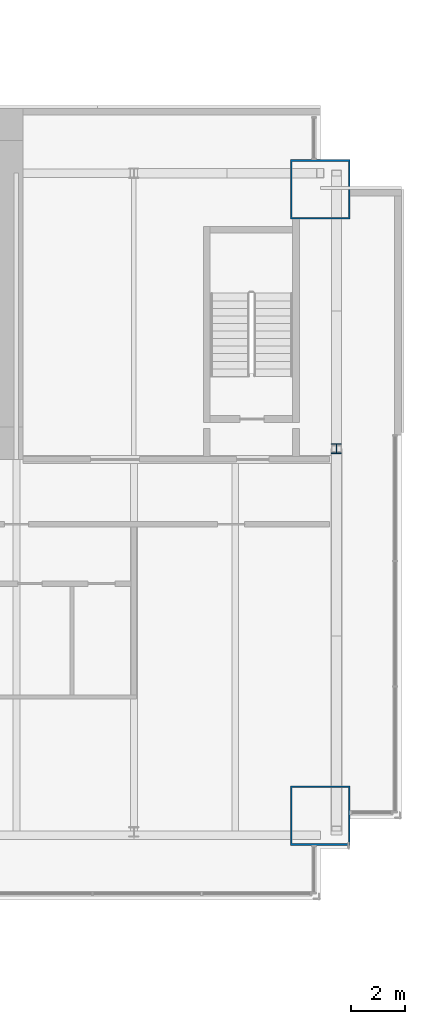
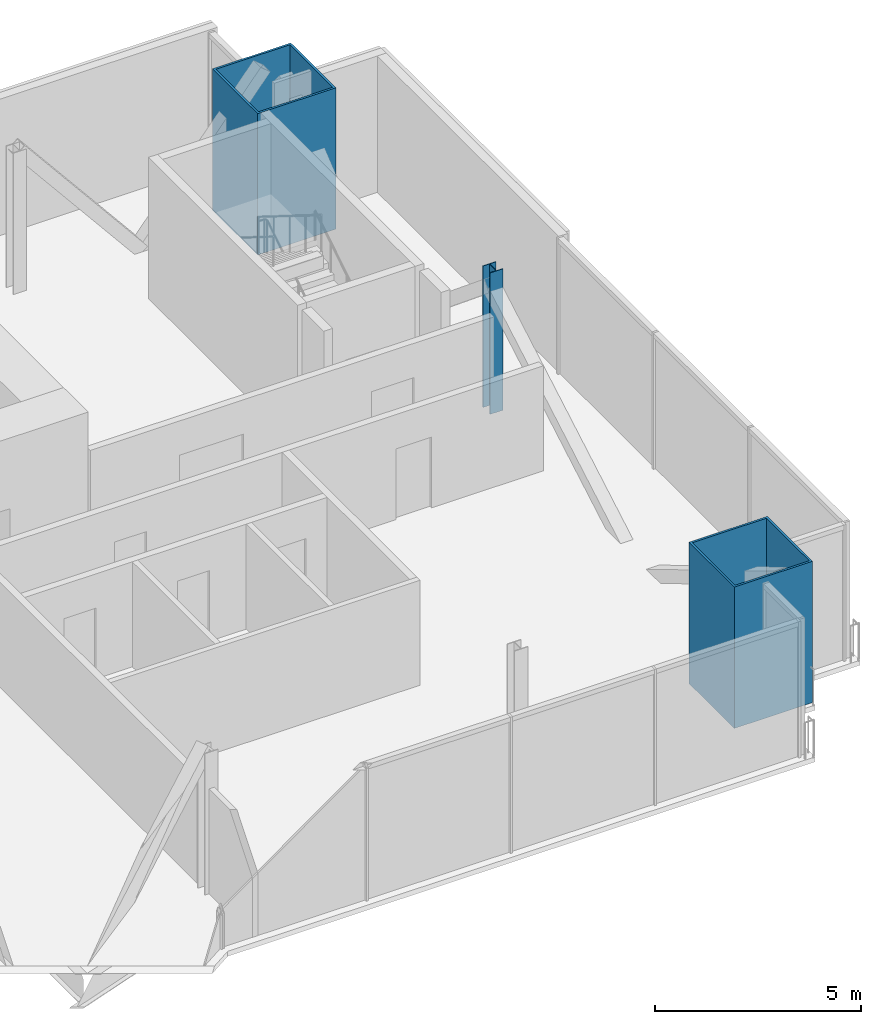
# One storey, part 4 of 19: 3 columns.
"""IFC4 building model written with IfcOpenShell, lengths in metres."""

import ifcopenshell
import ifcopenshell.guid

model = None  # the IFC model being written
_history = None  # IfcOwnerHistory: only IFC2X3 demands one
_inside = {}  # id of a spatial element -> (the spatial element, [elements in it])
_under = {}  # id of a project, library or spatial element -> (it, [spatial elements below it])
_declared = {}  # id of a project -> (the project, [libraries it declares])
_typed = {}  # id of a type object -> (the type object, [elements of that type])
_made_of = {}  # id of a material, layer set ... -> (it, [elements and type objects made of it])


def new_model(schema):
    """Start an empty IFC model of exactly this schema.

    Asked for "IFC4X3", IfcOpenShell would pick the latest addendum, in which some entities
    have other attributes; the version numbers below select the first issue.
    IFC2X3 requires an IfcOwnerHistory on every rooted entity: one is made here for all.
    """
    global model, _history
    if schema == "IFC4X3":
        model = ifcopenshell.file(schema_version=(4, 3, 0, 0))
    else:
        model = ifcopenshell.file(schema=schema)
    _inside.clear()
    _under.clear()
    _declared.clear()
    _typed.clear()
    _made_of.clear()
    _history = None
    if model.schema == "IFC2X3":
        org = make("IfcOrganization", Name="unknown")
        user = make(
            "IfcPersonAndOrganization",
            ThePerson=make("IfcPerson", FamilyName="unknown"),
            TheOrganization=org,
        )
        app = make(
            "IfcApplication",
            ApplicationDeveloper=org,
            Version="unknown",
            ApplicationFullName="unknown",
            ApplicationIdentifier="unknown",
        )
        _history = make(
            "IfcOwnerHistory",
            OwningUser=user,
            OwningApplication=app,
            ChangeAction="ADDED",
            CreationDate=0,
        )
    return model


def make(cls, **values):
    """One entity of the class cls with the attributes given. An attribute that is None is left unset."""
    return model.create_entity(
        cls, **{name: value for name, value in values.items() if value is not None}
    )


def rooted(cls, **values):
    """An entity with a GlobalId (a new one), such as an element, a storey or a relation."""
    return make(cls, GlobalId=ifcopenshell.guid.new(), OwnerHistory=_history, **values)


def si_unit(unit_type, name, prefix=None):
    """IfcSIUnit, for example si_unit("LENGTHUNIT", "METRE", prefix="MILLI")."""
    return make("IfcSIUnit", UnitType=unit_type, Prefix=prefix, Name=name)


def assignment(units):
    """IfcUnitAssignment: the units of a project."""
    return None if units is None else make("IfcUnitAssignment", Units=units)


def point(xyz):
    """IfcCartesianPoint."""
    return None if xyz is None else make("IfcCartesianPoint", Coordinates=xyz)


def direction(xyz):
    """IfcDirection."""
    return None if xyz is None else make("IfcDirection", DirectionRatios=xyz)


def frame(location, z_axis=None, x_axis=None):
    """IfcAxis2Placement3D, a coordinate frame: its origin and axes. An axis left out is left unset."""
    return make(
        "IfcAxis2Placement3D",
        Location=point(location),
        Axis=direction(z_axis),
        RefDirection=direction(x_axis),
    )


def frame_2d(location, x_axis=None):
    """IfcAxis2Placement2D, a coordinate frame in the plane: its origin and x axis."""
    return make(
        "IfcAxis2Placement2D", Location=point(location), RefDirection=direction(x_axis)
    )


def origin():
    """The frame at (0, 0, 0) with its axes left unset."""
    return frame((0.0, 0.0, 0.0))


def origin_2d():
    """The frame at (0, 0) in the plane with its x axis left unset."""
    return frame_2d((0.0, 0.0))


def place(relative_to, where):
    """IfcLocalPlacement: puts the frame where relative to a parent placement (None: the world)."""
    return make(
        "IfcLocalPlacement", PlacementRelTo=relative_to, RelativePlacement=where
    )


def context(
    kind, dimensions, precision=None, world=None, true_north=None, identifier=None
):
    """IfcGeometricRepresentationContext, for example the 3D "Model" context."""
    return make(
        "IfcGeometricRepresentationContext",
        ContextIdentifier=identifier,
        ContextType=kind,
        CoordinateSpaceDimension=dimensions,
        Precision=precision,
        WorldCoordinateSystem=world,
        TrueNorth=true_north,
    )


def subcontext(parent, identifier, kind, view, scale=None):
    """IfcGeometricRepresentationSubContext, for example "Body" below "Model"."""
    return make(
        "IfcGeometricRepresentationSubContext",
        ContextIdentifier=identifier,
        ContextType=kind,
        ParentContext=parent,
        TargetScale=scale,
        TargetView=view,
    )


def project(units=None, contexts=None):
    """IfcProject with its units and contexts."""
    return rooted(
        "IfcProject",
        Name="project",
        RepresentationContexts=contexts,
        UnitsInContext=assignment(units),
    )


def spatial(cls, under=None, at=None, **own):
    """A site, building, storey or space (cls), placed at a placement, below another one or the project."""
    s = rooted(cls, ObjectPlacement=at, **own)
    if under is not None:
        _under.setdefault(under.id(), (under, []))[1].append(s)
    return s


def profile(cls, at=None, kind="AREA", **sizes):
    """A parametric profile (cls). Its sizes go by their IFC names, for example OverallWidth=200.0."""
    return make(cls, ProfileType=kind, Position=at, **sizes)


def hollow_rectangle(**sizes):
    """IfcRectangleHollowProfileDef."""
    return profile("IfcRectangleHollowProfileDef", **sizes)


def i_section(**sizes):
    """IfcIShapeProfileDef."""
    return profile("IfcIShapeProfileDef", **sizes)


def extrude(swept, where, along, depth):
    """IfcExtrudedAreaSolid: the profile swept, set in the frame where, extruded along a direction by depth."""
    return make(
        "IfcExtrudedAreaSolid",
        SweptArea=swept,
        Position=where,
        ExtrudedDirection=direction(along),
        Depth=depth,
    )


def shape(context_of_items, identifier, shape_type, items):
    """IfcShapeRepresentation: the items that make up one representation, for example the "Body"."""
    return make(
        "IfcShapeRepresentation",
        ContextOfItems=context_of_items,
        RepresentationIdentifier=identifier,
        RepresentationType=shape_type,
        Items=items,
    )


def material(Name=None, Category=None):
    """IfcMaterial."""
    return make("IfcMaterial", Name=Name, Category=Category)


def material_profile(
    of_material, cross_section, Name=None, Category=None, Priority=None
):
    """IfcMaterialProfile: a cross section and its material."""
    return make(
        "IfcMaterialProfile",
        Name=Name,
        Material=of_material,
        Profile=cross_section,
        Priority=Priority,
        Category=Category,
    )


def profile_set(profiles, Name=None, composite=None):
    """IfcMaterialProfileSet."""
    return make(
        "IfcMaterialProfileSet",
        Name=Name,
        MaterialProfiles=profiles,
        CompositeProfile=composite,
    )


def made_of(thing, what):
    """Note that an element or type object is made of a material, layer set ...; save() writes the relation."""
    if what is not None:
        _made_of.setdefault(what.id(), (what, []))[1].append(thing)
    return thing


def type_object(cls, material=None, **own):
    """A type object (cls), such as IfcWallType, which elements share."""
    return made_of(rooted(cls, **own), material)


def element(
    cls,
    number,
    at=None,
    inside=None,
    cuts=None,
    type_object=None,
    material=None,
    context=None,
    identifier="Body",
    shape_type=None,
    held_by="IfcProductDefinitionShape",
    body=None,
    shapes=None,
    **own,
):
    """One element of the class cls, such as IfcWall. Its Tag is "e" and its number.

    at: its placement. inside: the storey or other place that contains it. cuts: it is an
    opening in that element (IfcRelVoidsElement). A single representation is given by context,
    identifier, shape_type and body (its items); several are given by shapes. held_by: the class
    of the entity that holds the representations. save() writes the other relations.
    """
    e = rooted(cls, Tag="e%d" % number, ObjectPlacement=at, **own)
    if body is not None:
        shapes = [shape(context, identifier, shape_type, body)]
    if shapes is not None:
        e.Representation = make(held_by, Representations=shapes)
    if inside is not None:
        _inside.setdefault(inside.id(), (inside, []))[1].append(e)
    if cuts is not None:
        rooted(
            "IfcRelVoidsElement", RelatingBuildingElement=cuts, RelatedOpeningElement=e
        )
    if type_object is not None:
        _typed.setdefault(type_object.id(), (type_object, []))[1].append(e)
    return made_of(e, material)


def aggregate(whole, parts):
    """IfcRelAggregates: a whole, such as a stair, and the parts it consists of."""
    return rooted("IfcRelAggregates", RelatingObject=whole, RelatedObjects=parts)


def save(model, path):
    """Write the relations noted so far, then the file.

    IfcRelAggregates (storeys below a building ...), IfcRelContainedInSpatialStructure (elements
    in a storey), IfcRelDefinesByType, IfcRelAssociatesMaterial and IfcRelDeclares: one each for
    every whole, place, type object, material and project.
    """
    for whole, parts in _under.values():
        aggregate(whole, parts)
    for where, things in _inside.values():
        rooted(
            "IfcRelContainedInSpatialStructure",
            RelatedElements=things,
            RelatingStructure=where,
        )
    for kind, things in _typed.values():
        rooted("IfcRelDefinesByType", RelatedObjects=things, RelatingType=kind)
    for what, things in _made_of.values():
        rooted("IfcRelAssociatesMaterial", RelatedObjects=things, RelatingMaterial=what)
    for by, libraries in _declared.values():
        rooted("IfcRelDeclares", RelatingContext=by, RelatedDefinitions=libraries)
    model.write(path)


model = new_model("IFC4")

# Units and contexts
model_context = context("Model", 3, precision=1e-05, world=origin(), true_north=direction((0.0, 1.0)))
body_context = subcontext(model_context, "Body", "Model", "MODEL_VIEW")
ifc_project = project(units=[si_unit("LENGTHUNIT", "METRE"), si_unit("AREAUNIT", "SQUARE_METRE"), si_unit("VOLUMEUNIT", "CUBIC_METRE"), si_unit("PLANEANGLEUNIT", "RADIAN"), si_unit("MASSUNIT", "GRAM", prefix="KILO")], contexts=[model_context])

# Site, building, storey
site_placement = place(None, origin())
site = spatial("IfcSite", under=ifc_project, at=site_placement, CompositionType="ELEMENT")
building_placement = place(site_placement, origin())
building = spatial("IfcBuilding", under=site, at=building_placement, Name="Bicima Exchange Tower", CompositionType="ELEMENT")
storey_placement = place(building_placement, frame((0.0, 0.0, 258.199951171875)))
storey = spatial("IfcBuildingStorey", under=building, at=storey_placement, Name="L58", CompositionType="ELEMENT", Elevation=258.199951171875)

# Columns
ifc_material_1 = material(Name="Steel ASTM A572 Gr 50", Category="steel")
ifc_material_profile_1 = material_profile(ifc_material_1, hollow_rectangle(XDim=2.199951171875, YDim=2.199951171875, WallThickness=0.06005859375, at=origin_2d()))
ifc_profile_set_1 = profile_set([ifc_material_profile_1], Name="Steel ASTM A572 Gr 50")
column_type_1 = type_object("IfcColumnType", Name="Mega column BOX 2200x2200x60", PredefinedType="COLUMN", material=ifc_profile_set_1)
for number, where, z_axis, x_axis, name in (
    (1, (33.0, -26.18994140625, 0.0), (0.0, 0.0, 1.0), (1.0, 0.0, 0.0), "Mega column mega+33.0f"),
    (2, (33.0, -3.0, 0.0), (0.0, 0.0, 1.0), (1.0, 0.0, 0.0), "Mega column mega+33.0r"),
):
    element("IfcColumn", number, at=place(storey_placement, frame(where, z_axis=z_axis, x_axis=x_axis)), inside=storey, type_object=column_type_1, Name=name, PredefinedType="COLUMN", context=body_context, shape_type="SweptSolid", body=[
        extrude(hollow_rectangle(XDim=2.199951171875, YDim=2.199951171875, WallThickness=0.06005859375, at=origin_2d()), origin(), (0.0, 0.0, 1.0), 4.199951171875),
    ])
ifc_material_2 = material(Name="Steel ASTM A992 Gr 50", Category="steel")
ifc_material_profile_2 = material_profile(ifc_material_2, i_section(OverallWidth=0.370849609375, OverallDepth=0.36328125, WebThickness=0.013427734375, FlangeThickness=0.021728515625, at=origin_2d()))
ifc_profile_set_2 = profile_set([ifc_material_profile_2], Name="Steel ASTM A992 Gr 50")
column_type_2 = type_object("IfcColumnType", Name="Perimeter column W14x109", PredefinedType="COLUMN", material=ifc_profile_set_2)
column_placement = place(storey_placement, frame((33.60009765625, -12.60009765625, 0.0), z_axis=(0.0, 0.0, 1.0), x_axis=(1.0, 0.0, 0.0)))
element("IfcColumn", 3, at=column_placement, inside=storey, type_object=column_type_2, Name="End column end+33.6e", PredefinedType="COLUMN", context=body_context, shape_type="SweptSolid", body=[
    extrude(i_section(OverallWidth=0.370849609375, OverallDepth=0.36328125, WebThickness=0.013427734375, FlangeThickness=0.021728515625, at=origin_2d()), origin(), (0.0, 0.0, 1.0), 4.199951171875),
])

save(model, "model.ifc")
